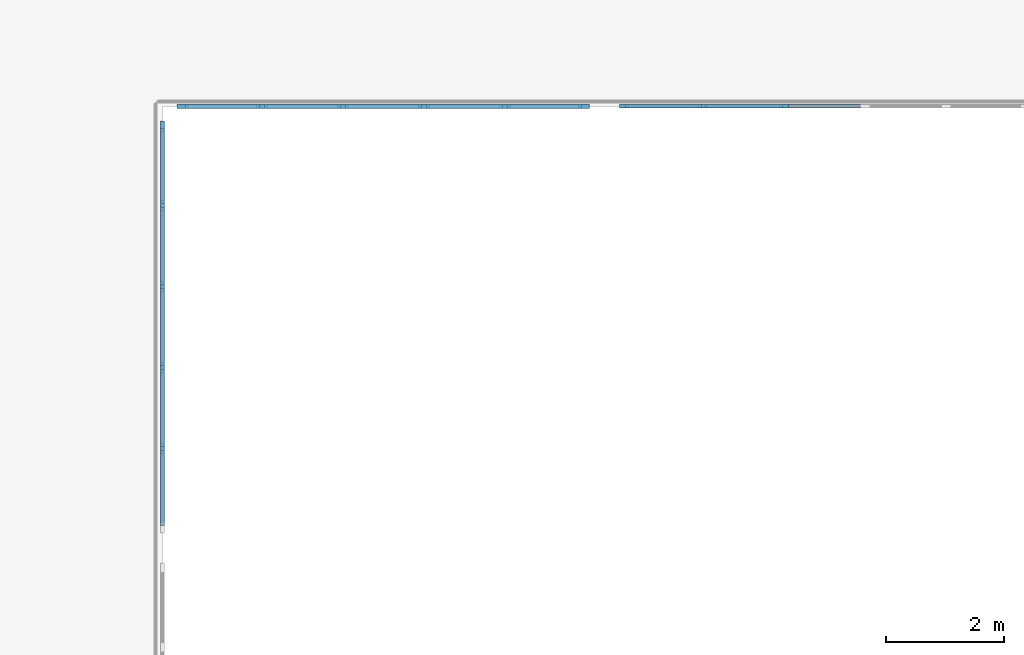
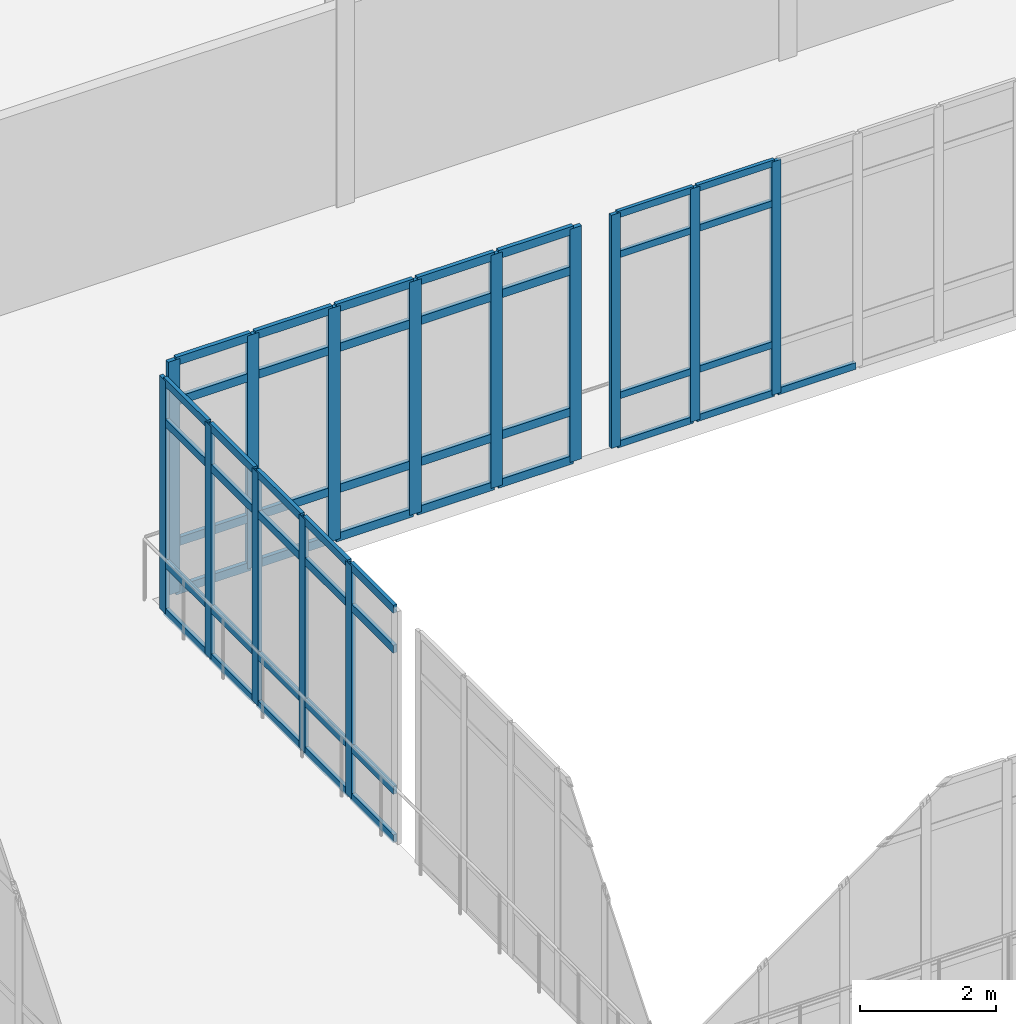
# One storey, part 35 of 128: 63 members, 3 elements without a shape of their own.
"""IFC4 building model written with IfcOpenShell, lengths in metres."""

from ifc_helpers import new_model, si_unit, direction, frame, origin, origin_2d, place, context, subcontext, project, spatial, rectangle, extrude, material, layer, layer_set, material_profile, profile_set, type_object, element, aggregate, save


model = new_model("IFC4")

# Units and contexts
model_context = context("Model", 3, precision=1e-05, world=origin(), true_north=direction((0.0, 1.0)))
body_context = subcontext(model_context, "Body", "Model", "MODEL_VIEW")
ifc_project = project(units=[si_unit("LENGTHUNIT", "METRE"), si_unit("AREAUNIT", "SQUARE_METRE"), si_unit("VOLUMEUNIT", "CUBIC_METRE"), si_unit("PLANEANGLEUNIT", "RADIAN"), si_unit("MASSUNIT", "GRAM", prefix="KILO")], contexts=[model_context])

# Site, building, storey
site_placement = place(None, origin())
site = spatial("IfcSite", under=ifc_project, at=site_placement, CompositionType="ELEMENT")
building_placement = place(site_placement, origin())
building = spatial("IfcBuilding", under=site, at=building_placement, Name="Dalvernix Boulevard General Hospital", CompositionType="ELEMENT")
storey_placement = place(building_placement, frame((0.0, 0.0, 4.800048828125)))
storey = spatial("IfcBuildingStorey", under=building, at=storey_placement, Name="L01", CompositionType="ELEMENT", Elevation=4.800048828125)

# Curtain wall, members
ifc_material_1 = material(Name="Thermally broken aluminium and solar-control glass curtain wall", Category="aluminium")
ifc_layer_1 = layer(ifc_material_1, 0.159912109375)
ifc_layer_set_1 = layer_set([ifc_layer_1], Name="Thermally broken aluminium and solar-control glass curtain wall (CW-CW-A-69x42)")
curtain_wall_type_1 = type_object("IfcCurtainWallType", Name="CW-CW-A-69x42", PredefinedType="USERDEFINED", material=ifc_layer_set_1)
curtain_wall_1_placement = place(storey_placement, origin())
curtain_wall_1 = element("IfcCurtainWall", 1, at=curtain_wall_1_placement, inside=storey, type_object=curtain_wall_type_1, Name="L01 curtain wall CW-A-69x42 10-7", ObjectType="GLAZED FACADE", PredefinedType="USERDEFINED")
ifc_material_2 = material(Name="Aluminium EN AW-6060", Category="aluminium")
ifc_material_profile_1 = material_profile(ifc_material_2, rectangle(XDim=0.06005859375, YDim=0.159912109375, at=origin_2d()), Name="ALU MULL 60x160")
ifc_profile_set_1 = profile_set([ifc_material_profile_1], Name="Aluminium EN AW-6060")
member_type_1 = type_object("IfcMemberType", Name="MEM-CW-M1", PredefinedType="MULLION", material=ifc_profile_set_1)
member_1_placement = place(storey_placement, frame((78.06201171875, 54.0, 0.0), z_axis=(0.0, 0.0, 1.0), x_axis=(0.0, -1.0, 0.0)))
member_1 = element("IfcMember", 2, at=member_1_placement, type_object=member_type_1, Name="CW-A-69x42 mullion 4", PredefinedType="MULLION", context=body_context, shape_type="SweptSolid", body=[
    extrude(rectangle(XDim=0.06005859375, YDim=0.159912109375, at=origin_2d()), origin(), (0.0, 0.0, 1.0), 4.179931640625),
])
member_2_placement = place(storey_placement, frame((76.68603515625, 54.0, 0.0), z_axis=(0.0, 0.0, 1.0), x_axis=(0.0, -1.0, 0.0)))
member_2 = element("IfcMember", 3, at=member_2_placement, type_object=member_type_1, Name="CW-A-69x42 mullion 5", PredefinedType="MULLION", context=body_context, shape_type="SweptSolid", body=[
    extrude(rectangle(XDim=0.06005859375, YDim=0.159912109375, at=origin_2d()), origin(), (0.0, 0.0, 1.0), 4.179931640625),
])
member_3_placement = place(storey_placement, frame((75.340087890625, 54.0, 0.0), z_axis=(0.0, 0.0, 1.0), x_axis=(0.0, -1.0, 0.0)))
member_3 = element("IfcMember", 4, at=member_3_placement, type_object=member_type_1, Name="CW-A-69x42 mullion 6", PredefinedType="MULLION", context=body_context, shape_type="SweptSolid", body=[
    extrude(rectangle(XDim=0.06005859375, YDim=0.159912109375, at=origin_2d()), origin(), (0.0, 0.0, 1.0), 4.179931640625),
])

ifc_layer_2 = layer(ifc_material_1, 0.179931640625)
ifc_layer_set_2 = layer_set([ifc_layer_2], Name="Thermally broken aluminium and solar-control glass curtain wall (CW-CW-B-69x42)")
curtain_wall_type_2 = type_object("IfcCurtainWallType", Name="CW-CW-B-69x42", PredefinedType="USERDEFINED", material=ifc_layer_set_2)
curtain_wall_2_placement = place(storey_placement, origin())
curtain_wall_2 = element("IfcCurtainWall", 5, at=curtain_wall_2_placement, inside=storey, type_object=curtain_wall_type_2, Name="L01 curtain wall CW-B-69x42 9-6", ObjectType="GLAZED FACADE", PredefinedType="USERDEFINED")
ifc_material_profile_2 = material_profile(ifc_material_2, rectangle(XDim=0.06494140625, YDim=0.179931640625, at=origin_2d()), Name="ALU MULL 65x180")
ifc_profile_set_2 = profile_set([ifc_material_profile_2], Name="Aluminium EN AW-6060")
member_type_2 = type_object("IfcMemberType", Name="MEM-CW-M2", PredefinedType="MULLION", material=ifc_profile_set_2)
member_4_placement = place(storey_placement, frame((67.5, 53.657470703125, 0.0), z_axis=(0.0, 0.0, 1.0), x_axis=(1.0, 0.0, 0.0)))
member_4 = element("IfcMember", 6, at=member_4_placement, type_object=member_type_2, Name="CW-B-69x42 mullion 1", PredefinedType="MULLION", context=body_context, shape_type="SweptSolid", body=[
    extrude(rectangle(XDim=0.06494140625, YDim=0.179931640625, at=origin_2d()), origin(), (0.0, 0.0, 1.0), 4.179931640625),
])
member_5_placement = place(storey_placement, frame((67.5, 52.31396484375, 0.0), z_axis=(0.0, 0.0, 1.0), x_axis=(1.0, 0.0, 0.0)))
member_5 = element("IfcMember", 7, at=member_5_placement, type_object=member_type_2, Name="CW-B-69x42 mullion 2", PredefinedType="MULLION", context=body_context, shape_type="SweptSolid", body=[
    extrude(rectangle(XDim=0.06494140625, YDim=0.179931640625, at=origin_2d()), origin(), (0.0, 0.0, 1.0), 4.179931640625),
])
member_6_placement = place(storey_placement, frame((67.5, 50.93798828125, 0.0), z_axis=(0.0, 0.0, 1.0), x_axis=(1.0, 0.0, 0.0)))
member_6 = element("IfcMember", 8, at=member_6_placement, type_object=member_type_2, Name="CW-B-69x42 mullion 3", PredefinedType="MULLION", context=body_context, shape_type="SweptSolid", body=[
    extrude(rectangle(XDim=0.06494140625, YDim=0.179931640625, at=origin_2d()), origin(), (0.0, 0.0, 1.0), 4.179931640625),
])
member_7_placement = place(storey_placement, frame((67.5, 49.56201171875, 0.0), z_axis=(0.0, 0.0, 1.0), x_axis=(1.0, 0.0, 0.0)))
member_7 = element("IfcMember", 9, at=member_7_placement, type_object=member_type_2, Name="CW-B-69x42 mullion 4", PredefinedType="MULLION", context=body_context, shape_type="SweptSolid", body=[
    extrude(rectangle(XDim=0.06494140625, YDim=0.179931640625, at=origin_2d()), origin(), (0.0, 0.0, 1.0), 4.179931640625),
])
member_8_placement = place(storey_placement, frame((67.5, 48.18603515625, 0.0), z_axis=(0.0, 0.0, 1.0), x_axis=(1.0, 0.0, 0.0)))
member_8 = element("IfcMember", 10, at=member_8_placement, type_object=member_type_2, Name="CW-B-69x42 mullion 5", PredefinedType="MULLION", context=body_context, shape_type="SweptSolid", body=[
    extrude(rectangle(XDim=0.06494140625, YDim=0.179931640625, at=origin_2d()), origin(), (0.0, 0.0, 1.0), 4.179931640625),
])

ifc_layer_3 = layer(ifc_material_1, 0.199951171875)
ifc_layer_set_3 = layer_set([ifc_layer_3], Name="Thermally broken aluminium and solar-control glass curtain wall (CW-CW-C-69x42)")
curtain_wall_type_3 = type_object("IfcCurtainWallType", Name="CW-CW-C-69x42", PredefinedType="USERDEFINED", material=ifc_layer_set_3)
curtain_wall_3_placement = place(storey_placement, origin())
curtain_wall_3 = element("IfcCurtainWall", 11, at=curtain_wall_3_placement, inside=storey, type_object=curtain_wall_type_3, Name="L01 curtain wall CW-C-69x42 9-7", ObjectType="GLAZED FACADE", PredefinedType="USERDEFINED")
ifc_material_profile_3 = material_profile(ifc_material_2, rectangle(XDim=0.070068359375, YDim=0.199951171875, at=origin_2d()), Name="ALU MULL 70x200")
ifc_profile_set_3 = profile_set([ifc_material_profile_3], Name="Aluminium EN AW-6060")
member_type_3 = type_object("IfcMemberType", Name="MEM-CW-M3", PredefinedType="MULLION", material=ifc_profile_set_3)
member_9_placement = place(storey_placement, frame((74.655029296875, 54.0, 0.0), z_axis=(0.0, 0.0, 1.0), x_axis=(0.0, -1.0, 0.0)))
member_9 = element("IfcMember", 12, at=member_9_placement, type_object=member_type_3, Name="CW-C-69x42 mullion 1", PredefinedType="MULLION", context=body_context, shape_type="SweptSolid", body=[
    extrude(rectangle(XDim=0.070068359375, YDim=0.199951171875, at=origin_2d()), origin(), (0.0, 0.0, 1.0), 4.179931640625),
])
member_10_placement = place(storey_placement, frame((73.31396484375, 54.0, 0.0), z_axis=(0.0, 0.0, 1.0), x_axis=(0.0, -1.0, 0.0)))
member_10 = element("IfcMember", 13, at=member_10_placement, type_object=member_type_3, Name="CW-C-69x42 mullion 2", PredefinedType="MULLION", context=body_context, shape_type="SweptSolid", body=[
    extrude(rectangle(XDim=0.070068359375, YDim=0.199951171875, at=origin_2d()), origin(), (0.0, 0.0, 1.0), 4.179931640625),
])
member_11_placement = place(storey_placement, frame((71.93798828125, 54.0, 0.0), z_axis=(0.0, 0.0, 1.0), x_axis=(0.0, -1.0, 0.0)))
member_11 = element("IfcMember", 14, at=member_11_placement, type_object=member_type_3, Name="CW-C-69x42 mullion 3", PredefinedType="MULLION", context=body_context, shape_type="SweptSolid", body=[
    extrude(rectangle(XDim=0.070068359375, YDim=0.199951171875, at=origin_2d()), origin(), (0.0, 0.0, 1.0), 4.179931640625),
])
member_12_placement = place(storey_placement, frame((70.56201171875, 54.0, 0.0), z_axis=(0.0, 0.0, 1.0), x_axis=(0.0, -1.0, 0.0)))
member_12 = element("IfcMember", 15, at=member_12_placement, type_object=member_type_3, Name="CW-C-69x42 mullion 4", PredefinedType="MULLION", context=body_context, shape_type="SweptSolid", body=[
    extrude(rectangle(XDim=0.070068359375, YDim=0.199951171875, at=origin_2d()), origin(), (0.0, 0.0, 1.0), 4.179931640625),
])
member_13_placement = place(storey_placement, frame((69.18603515625, 54.0, 0.0), z_axis=(0.0, 0.0, 1.0), x_axis=(0.0, -1.0, 0.0)))
member_13 = element("IfcMember", 16, at=member_13_placement, type_object=member_type_3, Name="CW-C-69x42 mullion 5", PredefinedType="MULLION", context=body_context, shape_type="SweptSolid", body=[
    extrude(rectangle(XDim=0.070068359375, YDim=0.199951171875, at=origin_2d()), origin(), (0.0, 0.0, 1.0), 4.179931640625),
])
member_14_placement = place(storey_placement, frame((67.844970703125, 54.0, 0.0), z_axis=(0.0, 0.0, 1.0), x_axis=(0.0, -1.0, 0.0)))
member_14 = element("IfcMember", 17, at=member_14_placement, type_object=member_type_3, Name="CW-C-69x42 mullion 6", PredefinedType="MULLION", context=body_context, shape_type="SweptSolid", body=[
    extrude(rectangle(XDim=0.070068359375, YDim=0.199951171875, at=origin_2d()), origin(), (0.0, 0.0, 1.0), 4.179931640625),
])

# Member
ifc_material_profile_4 = material_profile(ifc_material_2, rectangle(XDim=0.06005859375, YDim=0.1201171875, at=origin_2d()), Name="ALU TRAN 60x120")
ifc_profile_set_4 = profile_set([ifc_material_profile_4], Name="Aluminium EN AW-6060")
member_type_4 = type_object("IfcMemberType", Name="MEM-CW-T1", PredefinedType="USERDEFINED", material=ifc_profile_set_4)
member_15_placement = place(storey_placement, frame((79.407958984375, 54.0, 0.030029296875), z_axis=(-1.0, 0.0, 0.0), x_axis=(0.0, -1.0, 0.0)))
member_15 = element("IfcMember", 18, at=member_15_placement, type_object=member_type_4, Name="CW-A-69x42 transom 3.1", ObjectType="TRANSOM", PredefinedType="USERDEFINED", context=body_context, shape_type="SweptSolid", body=[
    extrude(rectangle(XDim=0.06005859375, YDim=0.1201171875, at=origin_2d()), origin(), (0.0, 0.0, 1.0), 1.31591796875),
])

member_16_placement = place(storey_placement, frame((78.031982421875, 54.0, 0.030029296875), z_axis=(-1.0, 0.0, 0.0), x_axis=(0.0, -1.0, 0.0)))
member_16 = element("IfcMember", 19, at=member_16_placement, type_object=member_type_4, Name="CW-A-69x42 transom 4.1", ObjectType="TRANSOM", PredefinedType="USERDEFINED", context=body_context, shape_type="SweptSolid", body=[
    extrude(rectangle(XDim=0.06005859375, YDim=0.1201171875, at=origin_2d()), origin(), (0.0, 0.0, 1.0), 1.31591796875),
])

member_17_placement = place(storey_placement, frame((78.031982421875, 54.0, 0.89990234375), z_axis=(-1.0, 0.0, 0.0), x_axis=(0.0, -1.0, 0.0)))
member_17 = element("IfcMember", 20, at=member_17_placement, type_object=member_type_4, Name="CW-A-69x42 transom 4.2", ObjectType="TRANSOM", PredefinedType="USERDEFINED", context=body_context, shape_type="SweptSolid", body=[
    extrude(rectangle(XDim=0.06005859375, YDim=0.1201171875, at=origin_2d()), origin(), (0.0, 0.0, 1.0), 1.31591796875),
])

member_18_placement = place(storey_placement, frame((78.031982421875, 54.0, 3.429931640625), z_axis=(-1.0, 0.0, 0.0), x_axis=(0.0, -1.0, 0.0)))
member_18 = element("IfcMember", 21, at=member_18_placement, type_object=member_type_4, Name="CW-A-69x42 transom 4.3", ObjectType="TRANSOM", PredefinedType="USERDEFINED", context=body_context, shape_type="SweptSolid", body=[
    extrude(rectangle(XDim=0.06005859375, YDim=0.1201171875, at=origin_2d()), origin(), (0.0, 0.0, 1.0), 1.31591796875),
])

member_19_placement = place(storey_placement, frame((78.031982421875, 54.0, 4.14990234375), z_axis=(-1.0, 0.0, 0.0), x_axis=(0.0, -1.0, 0.0)))
member_19 = element("IfcMember", 22, at=member_19_placement, type_object=member_type_4, Name="CW-A-69x42 transom 4.4", ObjectType="TRANSOM", PredefinedType="USERDEFINED", context=body_context, shape_type="SweptSolid", body=[
    extrude(rectangle(XDim=0.06005859375, YDim=0.1201171875, at=origin_2d()), origin(), (0.0, 0.0, 1.0), 1.31591796875),
])

member_20_placement = place(storey_placement, frame((76.656005859375, 54.0, 0.030029296875), z_axis=(-1.0, 0.0, 0.0), x_axis=(0.0, -1.0, 0.0)))
member_20 = element("IfcMember", 23, at=member_20_placement, type_object=member_type_4, Name="CW-A-69x42 transom 5.1", ObjectType="TRANSOM", PredefinedType="USERDEFINED", context=body_context, shape_type="SweptSolid", body=[
    extrude(rectangle(XDim=0.06005859375, YDim=0.1201171875, at=origin_2d()), origin(), (0.0, 0.0, 1.0), 1.285888671875),
])

member_21_placement = place(storey_placement, frame((76.656005859375, 54.0, 0.89990234375), z_axis=(-1.0, 0.0, 0.0), x_axis=(0.0, -1.0, 0.0)))
member_21 = element("IfcMember", 24, at=member_21_placement, type_object=member_type_4, Name="CW-A-69x42 transom 5.2", ObjectType="TRANSOM", PredefinedType="USERDEFINED", context=body_context, shape_type="SweptSolid", body=[
    extrude(rectangle(XDim=0.06005859375, YDim=0.1201171875, at=origin_2d()), origin(), (0.0, 0.0, 1.0), 1.285888671875),
])

member_22_placement = place(storey_placement, frame((76.656005859375, 54.0, 3.429931640625), z_axis=(-1.0, 0.0, 0.0), x_axis=(0.0, -1.0, 0.0)))
member_22 = element("IfcMember", 25, at=member_22_placement, type_object=member_type_4, Name="CW-A-69x42 transom 5.3", ObjectType="TRANSOM", PredefinedType="USERDEFINED", context=body_context, shape_type="SweptSolid", body=[
    extrude(rectangle(XDim=0.06005859375, YDim=0.1201171875, at=origin_2d()), origin(), (0.0, 0.0, 1.0), 1.285888671875),
])

member_23_placement = place(storey_placement, frame((76.656005859375, 54.0, 4.14990234375), z_axis=(-1.0, 0.0, 0.0), x_axis=(0.0, -1.0, 0.0)))
member_23 = element("IfcMember", 26, at=member_23_placement, type_object=member_type_4, Name="CW-A-69x42 transom 5.4", ObjectType="TRANSOM", PredefinedType="USERDEFINED", context=body_context, shape_type="SweptSolid", body=[
    extrude(rectangle(XDim=0.06005859375, YDim=0.1201171875, at=origin_2d()), origin(), (0.0, 0.0, 1.0), 1.285888671875),
])

aggregate(curtain_wall_1, [member_1, member_2, member_3, member_15, member_16, member_17, member_18, member_19, member_20, member_21, member_22, member_23])

ifc_material_profile_5 = material_profile(ifc_material_2, rectangle(XDim=0.06494140625, YDim=0.139892578125, at=origin_2d()), Name="ALU TRAN 65x140")
ifc_profile_set_5 = profile_set([ifc_material_profile_5], Name="Aluminium EN AW-6060")
member_type_5 = type_object("IfcMemberType", Name="MEM-CW-T2", PredefinedType="USERDEFINED", material=ifc_profile_set_5)
member_24_placement = place(storey_placement, frame((67.5, 53.625, 0.032470703125), z_axis=(0.0, -1.0, 0.0), x_axis=(1.0, 0.0, 0.0)))
member_24 = element("IfcMember", 27, at=member_24_placement, type_object=member_type_5, Name="CW-B-69x42 transom 1.1", ObjectType="TRANSOM", PredefinedType="USERDEFINED", context=body_context, shape_type="SweptSolid", body=[
    extrude(rectangle(XDim=0.06494140625, YDim=0.139892578125, at=origin_2d()), origin(), (0.0, 0.0, 1.0), 1.278564453125),
])

member_25_placement = place(storey_placement, frame((67.5, 53.625, 0.89990234375), z_axis=(0.0, -1.0, 0.0), x_axis=(1.0, 0.0, 0.0)))
member_25 = element("IfcMember", 28, at=member_25_placement, type_object=member_type_5, Name="CW-B-69x42 transom 1.2", ObjectType="TRANSOM", PredefinedType="USERDEFINED", context=body_context, shape_type="SweptSolid", body=[
    extrude(rectangle(XDim=0.06494140625, YDim=0.139892578125, at=origin_2d()), origin(), (0.0, 0.0, 1.0), 1.278564453125),
])

member_26_placement = place(storey_placement, frame((67.5, 53.625, 3.429931640625), z_axis=(0.0, -1.0, 0.0), x_axis=(1.0, 0.0, 0.0)))
member_26 = element("IfcMember", 29, at=member_26_placement, type_object=member_type_5, Name="CW-B-69x42 transom 1.3", ObjectType="TRANSOM", PredefinedType="USERDEFINED", context=body_context, shape_type="SweptSolid", body=[
    extrude(rectangle(XDim=0.06494140625, YDim=0.139892578125, at=origin_2d()), origin(), (0.0, 0.0, 1.0), 1.278564453125),
])

member_27_placement = place(storey_placement, frame((67.5, 53.625, 4.1474609375), z_axis=(0.0, -1.0, 0.0), x_axis=(1.0, 0.0, 0.0)))
member_27 = element("IfcMember", 30, at=member_27_placement, type_object=member_type_5, Name="CW-B-69x42 transom 1.4", ObjectType="TRANSOM", PredefinedType="USERDEFINED", context=body_context, shape_type="SweptSolid", body=[
    extrude(rectangle(XDim=0.06494140625, YDim=0.139892578125, at=origin_2d()), origin(), (0.0, 0.0, 1.0), 1.278564453125),
])

member_28_placement = place(storey_placement, frame((67.5, 52.281494140625, 0.032470703125), z_axis=(0.0, -1.0, 0.0), x_axis=(1.0, 0.0, 0.0)))
member_28 = element("IfcMember", 31, at=member_28_placement, type_object=member_type_5, Name="CW-B-69x42 transom 2.1", ObjectType="TRANSOM", PredefinedType="USERDEFINED", context=body_context, shape_type="SweptSolid", body=[
    extrude(rectangle(XDim=0.06494140625, YDim=0.139892578125, at=origin_2d()), origin(), (0.0, 0.0, 1.0), 1.31103515625),
])

member_29_placement = place(storey_placement, frame((67.5, 52.281494140625, 0.89990234375), z_axis=(0.0, -1.0, 0.0), x_axis=(1.0, 0.0, 0.0)))
member_29 = element("IfcMember", 32, at=member_29_placement, type_object=member_type_5, Name="CW-B-69x42 transom 2.2", ObjectType="TRANSOM", PredefinedType="USERDEFINED", context=body_context, shape_type="SweptSolid", body=[
    extrude(rectangle(XDim=0.06494140625, YDim=0.139892578125, at=origin_2d()), origin(), (0.0, 0.0, 1.0), 1.31103515625),
])

member_30_placement = place(storey_placement, frame((67.5, 52.281494140625, 3.429931640625), z_axis=(0.0, -1.0, 0.0), x_axis=(1.0, 0.0, 0.0)))
member_30 = element("IfcMember", 33, at=member_30_placement, type_object=member_type_5, Name="CW-B-69x42 transom 2.3", ObjectType="TRANSOM", PredefinedType="USERDEFINED", context=body_context, shape_type="SweptSolid", body=[
    extrude(rectangle(XDim=0.06494140625, YDim=0.139892578125, at=origin_2d()), origin(), (0.0, 0.0, 1.0), 1.31103515625),
])

member_31_placement = place(storey_placement, frame((67.5, 52.281494140625, 4.1474609375), z_axis=(0.0, -1.0, 0.0), x_axis=(1.0, 0.0, 0.0)))
member_31 = element("IfcMember", 34, at=member_31_placement, type_object=member_type_5, Name="CW-B-69x42 transom 2.4", ObjectType="TRANSOM", PredefinedType="USERDEFINED", context=body_context, shape_type="SweptSolid", body=[
    extrude(rectangle(XDim=0.06494140625, YDim=0.139892578125, at=origin_2d()), origin(), (0.0, 0.0, 1.0), 1.31103515625),
])

member_32_placement = place(storey_placement, frame((67.5, 50.905517578125, 0.032470703125), z_axis=(0.0, -1.0, 0.0), x_axis=(1.0, 0.0, 0.0)))
member_32 = element("IfcMember", 35, at=member_32_placement, type_object=member_type_5, Name="CW-B-69x42 transom 3.1", ObjectType="TRANSOM", PredefinedType="USERDEFINED", context=body_context, shape_type="SweptSolid", body=[
    extrude(rectangle(XDim=0.06494140625, YDim=0.139892578125, at=origin_2d()), origin(), (0.0, 0.0, 1.0), 1.31103515625),
])

member_33_placement = place(storey_placement, frame((67.5, 50.905517578125, 0.89990234375), z_axis=(0.0, -1.0, 0.0), x_axis=(1.0, 0.0, 0.0)))
member_33 = element("IfcMember", 36, at=member_33_placement, type_object=member_type_5, Name="CW-B-69x42 transom 3.2", ObjectType="TRANSOM", PredefinedType="USERDEFINED", context=body_context, shape_type="SweptSolid", body=[
    extrude(rectangle(XDim=0.06494140625, YDim=0.139892578125, at=origin_2d()), origin(), (0.0, 0.0, 1.0), 1.31103515625),
])

member_34_placement = place(storey_placement, frame((67.5, 50.905517578125, 3.429931640625), z_axis=(0.0, -1.0, 0.0), x_axis=(1.0, 0.0, 0.0)))
member_34 = element("IfcMember", 37, at=member_34_placement, type_object=member_type_5, Name="CW-B-69x42 transom 3.3", ObjectType="TRANSOM", PredefinedType="USERDEFINED", context=body_context, shape_type="SweptSolid", body=[
    extrude(rectangle(XDim=0.06494140625, YDim=0.139892578125, at=origin_2d()), origin(), (0.0, 0.0, 1.0), 1.31103515625),
])

member_35_placement = place(storey_placement, frame((67.5, 50.905517578125, 4.1474609375), z_axis=(0.0, -1.0, 0.0), x_axis=(1.0, 0.0, 0.0)))
member_35 = element("IfcMember", 38, at=member_35_placement, type_object=member_type_5, Name="CW-B-69x42 transom 3.4", ObjectType="TRANSOM", PredefinedType="USERDEFINED", context=body_context, shape_type="SweptSolid", body=[
    extrude(rectangle(XDim=0.06494140625, YDim=0.139892578125, at=origin_2d()), origin(), (0.0, 0.0, 1.0), 1.31103515625),
])

member_36_placement = place(storey_placement, frame((67.5, 49.529541015625, 0.032470703125), z_axis=(0.0, -1.0, 0.0), x_axis=(1.0, 0.0, 0.0)))
member_36 = element("IfcMember", 39, at=member_36_placement, type_object=member_type_5, Name="CW-B-69x42 transom 4.1", ObjectType="TRANSOM", PredefinedType="USERDEFINED", context=body_context, shape_type="SweptSolid", body=[
    extrude(rectangle(XDim=0.06494140625, YDim=0.139892578125, at=origin_2d()), origin(), (0.0, 0.0, 1.0), 1.31103515625),
])

member_37_placement = place(storey_placement, frame((67.5, 49.529541015625, 0.89990234375), z_axis=(0.0, -1.0, 0.0), x_axis=(1.0, 0.0, 0.0)))
member_37 = element("IfcMember", 40, at=member_37_placement, type_object=member_type_5, Name="CW-B-69x42 transom 4.2", ObjectType="TRANSOM", PredefinedType="USERDEFINED", context=body_context, shape_type="SweptSolid", body=[
    extrude(rectangle(XDim=0.06494140625, YDim=0.139892578125, at=origin_2d()), origin(), (0.0, 0.0, 1.0), 1.31103515625),
])

member_38_placement = place(storey_placement, frame((67.5, 49.529541015625, 3.429931640625), z_axis=(0.0, -1.0, 0.0), x_axis=(1.0, 0.0, 0.0)))
member_38 = element("IfcMember", 41, at=member_38_placement, type_object=member_type_5, Name="CW-B-69x42 transom 4.3", ObjectType="TRANSOM", PredefinedType="USERDEFINED", context=body_context, shape_type="SweptSolid", body=[
    extrude(rectangle(XDim=0.06494140625, YDim=0.139892578125, at=origin_2d()), origin(), (0.0, 0.0, 1.0), 1.31103515625),
])

member_39_placement = place(storey_placement, frame((67.5, 49.529541015625, 4.1474609375), z_axis=(0.0, -1.0, 0.0), x_axis=(1.0, 0.0, 0.0)))
member_39 = element("IfcMember", 42, at=member_39_placement, type_object=member_type_5, Name="CW-B-69x42 transom 4.4", ObjectType="TRANSOM", PredefinedType="USERDEFINED", context=body_context, shape_type="SweptSolid", body=[
    extrude(rectangle(XDim=0.06494140625, YDim=0.139892578125, at=origin_2d()), origin(), (0.0, 0.0, 1.0), 1.31103515625),
])

member_40_placement = place(storey_placement, frame((67.5, 48.153564453125, 0.032470703125), z_axis=(0.0, -1.0, 0.0), x_axis=(1.0, 0.0, 0.0)))
member_40 = element("IfcMember", 43, at=member_40_placement, type_object=member_type_5, Name="CW-B-69x42 transom 5.1", ObjectType="TRANSOM", PredefinedType="USERDEFINED", context=body_context, shape_type="SweptSolid", body=[
    extrude(rectangle(XDim=0.06494140625, YDim=0.139892578125, at=origin_2d()), origin(), (0.0, 0.0, 1.0), 1.278564453125),
])

member_41_placement = place(storey_placement, frame((67.5, 48.153564453125, 0.89990234375), z_axis=(0.0, -1.0, 0.0), x_axis=(1.0, 0.0, 0.0)))
member_41 = element("IfcMember", 44, at=member_41_placement, type_object=member_type_5, Name="CW-B-69x42 transom 5.2", ObjectType="TRANSOM", PredefinedType="USERDEFINED", context=body_context, shape_type="SweptSolid", body=[
    extrude(rectangle(XDim=0.06494140625, YDim=0.139892578125, at=origin_2d()), origin(), (0.0, 0.0, 1.0), 1.278564453125),
])

member_42_placement = place(storey_placement, frame((67.5, 48.153564453125, 3.429931640625), z_axis=(0.0, -1.0, 0.0), x_axis=(1.0, 0.0, 0.0)))
member_42 = element("IfcMember", 45, at=member_42_placement, type_object=member_type_5, Name="CW-B-69x42 transom 5.3", ObjectType="TRANSOM", PredefinedType="USERDEFINED", context=body_context, shape_type="SweptSolid", body=[
    extrude(rectangle(XDim=0.06494140625, YDim=0.139892578125, at=origin_2d()), origin(), (0.0, 0.0, 1.0), 1.278564453125),
])

member_43_placement = place(storey_placement, frame((67.5, 48.153564453125, 4.1474609375), z_axis=(0.0, -1.0, 0.0), x_axis=(1.0, 0.0, 0.0)))
member_43 = element("IfcMember", 46, at=member_43_placement, type_object=member_type_5, Name="CW-B-69x42 transom 5.4", ObjectType="TRANSOM", PredefinedType="USERDEFINED", context=body_context, shape_type="SweptSolid", body=[
    extrude(rectangle(XDim=0.06494140625, YDim=0.139892578125, at=origin_2d()), origin(), (0.0, 0.0, 1.0), 1.278564453125),
])

aggregate(curtain_wall_2, [member_4, member_5, member_6, member_7, member_8, member_24, member_25, member_26, member_27, member_28, member_29, member_30, member_31, member_32, member_33, member_34, member_35, member_36, member_37, member_38, member_39, member_40, member_41, member_42, member_43])

ifc_material_profile_6 = material_profile(ifc_material_2, rectangle(XDim=0.070068359375, YDim=0.14990234375, at=origin_2d()), Name="ALU TRAN 70x150")
ifc_profile_set_6 = profile_set([ifc_material_profile_6], Name="Aluminium EN AW-6060")
member_type_6 = type_object("IfcMemberType", Name="MEM-CW-T3", PredefinedType="USERDEFINED", material=ifc_profile_set_6)
member_44_placement = place(storey_placement, frame((74.6201171875, 54.0, 0.034912109375), z_axis=(-1.0, 0.0, 0.0), x_axis=(0.0, -1.0, 0.0)))
member_44 = element("IfcMember", 47, at=member_44_placement, type_object=member_type_6, Name="CW-C-69x42 transom 1.1", ObjectType="TRANSOM", PredefinedType="USERDEFINED", context=body_context, shape_type="SweptSolid", body=[
    extrude(rectangle(XDim=0.070068359375, YDim=0.14990234375, at=origin_2d()), origin(), (0.0, 0.0, 1.0), 1.27099609375),
])

member_45_placement = place(storey_placement, frame((74.6201171875, 54.0, 0.89990234375), z_axis=(-1.0, 0.0, 0.0), x_axis=(0.0, -1.0, 0.0)))
member_45 = element("IfcMember", 48, at=member_45_placement, type_object=member_type_6, Name="CW-C-69x42 transom 1.2", ObjectType="TRANSOM", PredefinedType="USERDEFINED", context=body_context, shape_type="SweptSolid", body=[
    extrude(rectangle(XDim=0.070068359375, YDim=0.14990234375, at=origin_2d()), origin(), (0.0, 0.0, 1.0), 1.27099609375),
])

member_46_placement = place(storey_placement, frame((74.6201171875, 54.0, 3.429931640625), z_axis=(-1.0, 0.0, 0.0), x_axis=(0.0, -1.0, 0.0)))
member_46 = element("IfcMember", 49, at=member_46_placement, type_object=member_type_6, Name="CW-C-69x42 transom 1.3", ObjectType="TRANSOM", PredefinedType="USERDEFINED", context=body_context, shape_type="SweptSolid", body=[
    extrude(rectangle(XDim=0.070068359375, YDim=0.14990234375, at=origin_2d()), origin(), (0.0, 0.0, 1.0), 1.27099609375),
])

member_47_placement = place(storey_placement, frame((74.6201171875, 54.0, 4.14501953125), z_axis=(-1.0, 0.0, 0.0), x_axis=(0.0, -1.0, 0.0)))
member_47 = element("IfcMember", 50, at=member_47_placement, type_object=member_type_6, Name="CW-C-69x42 transom 1.4", ObjectType="TRANSOM", PredefinedType="USERDEFINED", context=body_context, shape_type="SweptSolid", body=[
    extrude(rectangle(XDim=0.070068359375, YDim=0.14990234375, at=origin_2d()), origin(), (0.0, 0.0, 1.0), 1.27099609375),
])

member_48_placement = place(storey_placement, frame((73.279052734375, 54.0, 0.034912109375), z_axis=(-1.0, 0.0, 0.0), x_axis=(0.0, -1.0, 0.0)))
member_48 = element("IfcMember", 51, at=member_48_placement, type_object=member_type_6, Name="CW-C-69x42 transom 2.1", ObjectType="TRANSOM", PredefinedType="USERDEFINED", context=body_context, shape_type="SweptSolid", body=[
    extrude(rectangle(XDim=0.070068359375, YDim=0.14990234375, at=origin_2d()), origin(), (0.0, 0.0, 1.0), 1.30615234375),
])

member_49_placement = place(storey_placement, frame((73.279052734375, 54.0, 0.89990234375), z_axis=(-1.0, 0.0, 0.0), x_axis=(0.0, -1.0, 0.0)))
member_49 = element("IfcMember", 52, at=member_49_placement, type_object=member_type_6, Name="CW-C-69x42 transom 2.2", ObjectType="TRANSOM", PredefinedType="USERDEFINED", context=body_context, shape_type="SweptSolid", body=[
    extrude(rectangle(XDim=0.070068359375, YDim=0.14990234375, at=origin_2d()), origin(), (0.0, 0.0, 1.0), 1.30615234375),
])

member_50_placement = place(storey_placement, frame((73.279052734375, 54.0, 3.429931640625), z_axis=(-1.0, 0.0, 0.0), x_axis=(0.0, -1.0, 0.0)))
member_50 = element("IfcMember", 53, at=member_50_placement, type_object=member_type_6, Name="CW-C-69x42 transom 2.3", ObjectType="TRANSOM", PredefinedType="USERDEFINED", context=body_context, shape_type="SweptSolid", body=[
    extrude(rectangle(XDim=0.070068359375, YDim=0.14990234375, at=origin_2d()), origin(), (0.0, 0.0, 1.0), 1.30615234375),
])

member_51_placement = place(storey_placement, frame((73.279052734375, 54.0, 4.14501953125), z_axis=(-1.0, 0.0, 0.0), x_axis=(0.0, -1.0, 0.0)))
member_51 = element("IfcMember", 54, at=member_51_placement, type_object=member_type_6, Name="CW-C-69x42 transom 2.4", ObjectType="TRANSOM", PredefinedType="USERDEFINED", context=body_context, shape_type="SweptSolid", body=[
    extrude(rectangle(XDim=0.070068359375, YDim=0.14990234375, at=origin_2d()), origin(), (0.0, 0.0, 1.0), 1.30615234375),
])

member_52_placement = place(storey_placement, frame((71.903076171875, 54.0, 0.034912109375), z_axis=(-1.0, 0.0, 0.0), x_axis=(0.0, -1.0, 0.0)))
member_52 = element("IfcMember", 55, at=member_52_placement, type_object=member_type_6, Name="CW-C-69x42 transom 3.1", ObjectType="TRANSOM", PredefinedType="USERDEFINED", context=body_context, shape_type="SweptSolid", body=[
    extrude(rectangle(XDim=0.070068359375, YDim=0.14990234375, at=origin_2d()), origin(), (0.0, 0.0, 1.0), 1.30615234375),
])

member_53_placement = place(storey_placement, frame((71.903076171875, 54.0, 0.89990234375), z_axis=(-1.0, 0.0, 0.0), x_axis=(0.0, -1.0, 0.0)))
member_53 = element("IfcMember", 56, at=member_53_placement, type_object=member_type_6, Name="CW-C-69x42 transom 3.2", ObjectType="TRANSOM", PredefinedType="USERDEFINED", context=body_context, shape_type="SweptSolid", body=[
    extrude(rectangle(XDim=0.070068359375, YDim=0.14990234375, at=origin_2d()), origin(), (0.0, 0.0, 1.0), 1.30615234375),
])

member_54_placement = place(storey_placement, frame((71.903076171875, 54.0, 3.429931640625), z_axis=(-1.0, 0.0, 0.0), x_axis=(0.0, -1.0, 0.0)))
member_54 = element("IfcMember", 57, at=member_54_placement, type_object=member_type_6, Name="CW-C-69x42 transom 3.3", ObjectType="TRANSOM", PredefinedType="USERDEFINED", context=body_context, shape_type="SweptSolid", body=[
    extrude(rectangle(XDim=0.070068359375, YDim=0.14990234375, at=origin_2d()), origin(), (0.0, 0.0, 1.0), 1.30615234375),
])

member_55_placement = place(storey_placement, frame((71.903076171875, 54.0, 4.14501953125), z_axis=(-1.0, 0.0, 0.0), x_axis=(0.0, -1.0, 0.0)))
member_55 = element("IfcMember", 58, at=member_55_placement, type_object=member_type_6, Name="CW-C-69x42 transom 3.4", ObjectType="TRANSOM", PredefinedType="USERDEFINED", context=body_context, shape_type="SweptSolid", body=[
    extrude(rectangle(XDim=0.070068359375, YDim=0.14990234375, at=origin_2d()), origin(), (0.0, 0.0, 1.0), 1.30615234375),
])

member_56_placement = place(storey_placement, frame((70.527099609375, 54.0, 0.034912109375), z_axis=(-1.0, 0.0, 0.0), x_axis=(0.0, -1.0, 0.0)))
member_56 = element("IfcMember", 59, at=member_56_placement, type_object=member_type_6, Name="CW-C-69x42 transom 4.1", ObjectType="TRANSOM", PredefinedType="USERDEFINED", context=body_context, shape_type="SweptSolid", body=[
    extrude(rectangle(XDim=0.070068359375, YDim=0.14990234375, at=origin_2d()), origin(), (0.0, 0.0, 1.0), 1.30615234375),
])

member_57_placement = place(storey_placement, frame((70.527099609375, 54.0, 0.89990234375), z_axis=(-1.0, 0.0, 0.0), x_axis=(0.0, -1.0, 0.0)))
member_57 = element("IfcMember", 60, at=member_57_placement, type_object=member_type_6, Name="CW-C-69x42 transom 4.2", ObjectType="TRANSOM", PredefinedType="USERDEFINED", context=body_context, shape_type="SweptSolid", body=[
    extrude(rectangle(XDim=0.070068359375, YDim=0.14990234375, at=origin_2d()), origin(), (0.0, 0.0, 1.0), 1.30615234375),
])

member_58_placement = place(storey_placement, frame((70.527099609375, 54.0, 3.429931640625), z_axis=(-1.0, 0.0, 0.0), x_axis=(0.0, -1.0, 0.0)))
member_58 = element("IfcMember", 61, at=member_58_placement, type_object=member_type_6, Name="CW-C-69x42 transom 4.3", ObjectType="TRANSOM", PredefinedType="USERDEFINED", context=body_context, shape_type="SweptSolid", body=[
    extrude(rectangle(XDim=0.070068359375, YDim=0.14990234375, at=origin_2d()), origin(), (0.0, 0.0, 1.0), 1.30615234375),
])

member_59_placement = place(storey_placement, frame((70.527099609375, 54.0, 4.14501953125), z_axis=(-1.0, 0.0, 0.0), x_axis=(0.0, -1.0, 0.0)))
member_59 = element("IfcMember", 62, at=member_59_placement, type_object=member_type_6, Name="CW-C-69x42 transom 4.4", ObjectType="TRANSOM", PredefinedType="USERDEFINED", context=body_context, shape_type="SweptSolid", body=[
    extrude(rectangle(XDim=0.070068359375, YDim=0.14990234375, at=origin_2d()), origin(), (0.0, 0.0, 1.0), 1.30615234375),
])

member_60_placement = place(storey_placement, frame((69.15087890625, 54.0, 0.034912109375), z_axis=(-1.0, 0.0, 0.0), x_axis=(0.0, -1.0, 0.0)))
member_60 = element("IfcMember", 63, at=member_60_placement, type_object=member_type_6, Name="CW-C-69x42 transom 5.1", ObjectType="TRANSOM", PredefinedType="USERDEFINED", context=body_context, shape_type="SweptSolid", body=[
    extrude(rectangle(XDim=0.070068359375, YDim=0.14990234375, at=origin_2d()), origin(), (0.0, 0.0, 1.0), 1.27099609375),
])

member_61_placement = place(storey_placement, frame((69.15087890625, 54.0, 0.89990234375), z_axis=(-1.0, 0.0, 0.0), x_axis=(0.0, -1.0, 0.0)))
member_61 = element("IfcMember", 64, at=member_61_placement, type_object=member_type_6, Name="CW-C-69x42 transom 5.2", ObjectType="TRANSOM", PredefinedType="USERDEFINED", context=body_context, shape_type="SweptSolid", body=[
    extrude(rectangle(XDim=0.070068359375, YDim=0.14990234375, at=origin_2d()), origin(), (0.0, 0.0, 1.0), 1.27099609375),
])

member_62_placement = place(storey_placement, frame((69.15087890625, 54.0, 3.429931640625), z_axis=(-1.0, 0.0, 0.0), x_axis=(0.0, -1.0, 0.0)))
member_62 = element("IfcMember", 65, at=member_62_placement, type_object=member_type_6, Name="CW-C-69x42 transom 5.3", ObjectType="TRANSOM", PredefinedType="USERDEFINED", context=body_context, shape_type="SweptSolid", body=[
    extrude(rectangle(XDim=0.070068359375, YDim=0.14990234375, at=origin_2d()), origin(), (0.0, 0.0, 1.0), 1.27099609375),
])

member_63_placement = place(storey_placement, frame((69.15087890625, 54.0, 4.14501953125), z_axis=(-1.0, 0.0, 0.0), x_axis=(0.0, -1.0, 0.0)))
member_63 = element("IfcMember", 66, at=member_63_placement, type_object=member_type_6, Name="CW-C-69x42 transom 5.4", ObjectType="TRANSOM", PredefinedType="USERDEFINED", context=body_context, shape_type="SweptSolid", body=[
    extrude(rectangle(XDim=0.070068359375, YDim=0.14990234375, at=origin_2d()), origin(), (0.0, 0.0, 1.0), 1.27099609375),
])

aggregate(curtain_wall_3, [member_9, member_10, member_11, member_12, member_13, member_14, member_44, member_45, member_46, member_47, member_48, member_49, member_50, member_51, member_52, member_53, member_54, member_55, member_56, member_57, member_58, member_59, member_60, member_61, member_62, member_63])

save(model, "model.ifc")
